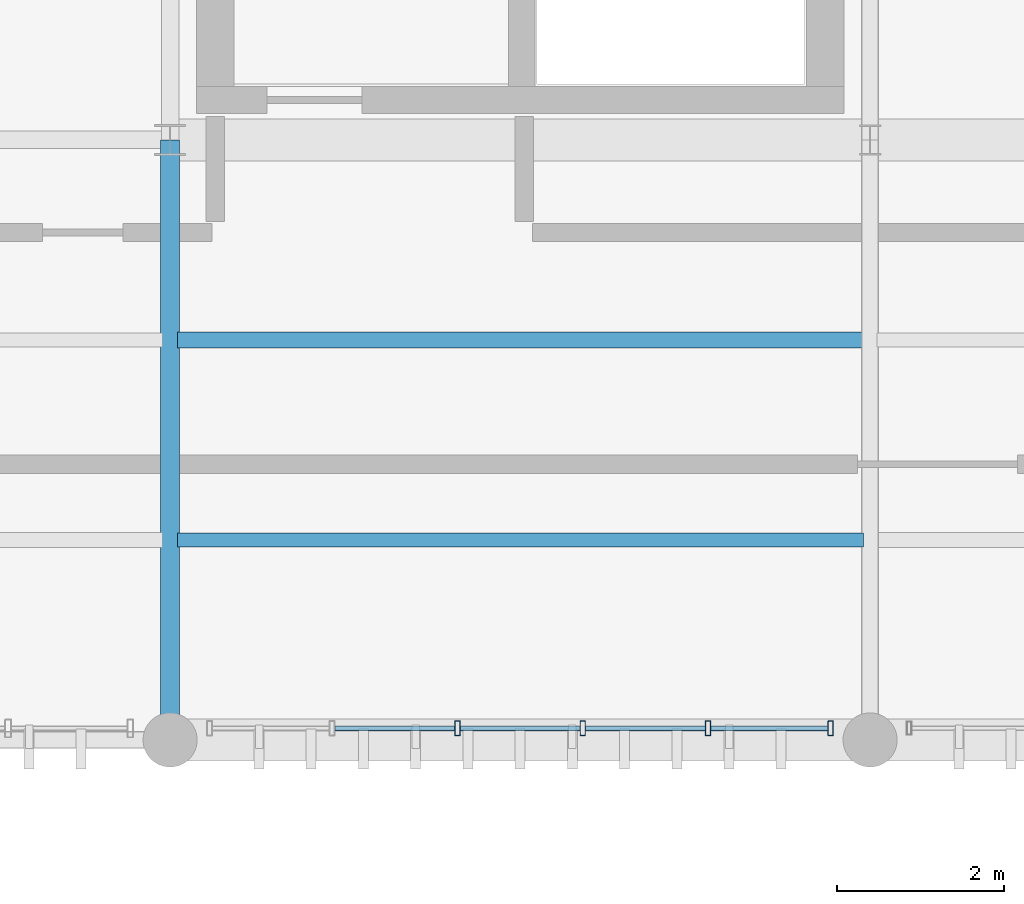
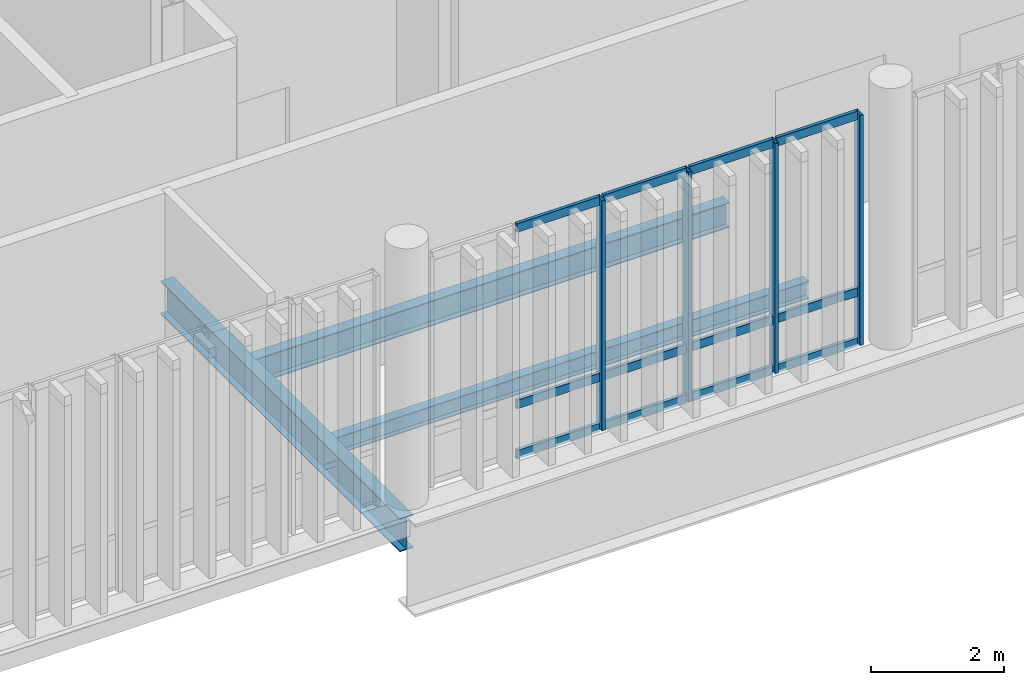
# One storey, part 30 of 86: 16 members, 3 beams, 1 element without a shape of its own.
"""IFC4 building model written with IfcOpenShell, lengths in metres."""

from ifc_helpers import new_model, si_unit, direction, frame, origin_with_axes, origin_2d_with_axis, place, context, subcontext, project, spatial, hollow_rectangle, i_section, extrude, material, material_profile, profile_set, type_object, element, aggregate, save


model = new_model("IFC4")

# Units and contexts
model_context = context("Model", 3, precision=1e-05, world=origin_with_axes(), true_north=direction((0.0, 1.0)))
body_context = subcontext(model_context, "Body", "Model", "MODEL_VIEW")
ifc_project = project(units=[si_unit("LENGTHUNIT", "METRE"), si_unit("AREAUNIT", "SQUARE_METRE"), si_unit("VOLUMEUNIT", "CUBIC_METRE"), si_unit("PLANEANGLEUNIT", "RADIAN"), si_unit("MASSUNIT", "GRAM", prefix="KILO"), si_unit("THERMODYNAMICTEMPERATUREUNIT", "KELVIN")], contexts=[model_context])

# Site, building, storey
site_placement = place(None, origin_with_axes())
site = spatial("IfcSite", under=ifc_project, at=site_placement, CompositionType="ELEMENT")
building_placement = place(site_placement, origin_with_axes())
building = spatial("IfcBuilding", under=site, at=building_placement, Name="Montbau Bow Law Courts", CompositionType="ELEMENT")
storey_placement = place(building_placement, frame((0.0, 0.0, 29.7), z_axis=(0.0, 0.0, 1.0), x_axis=(1.0, 0.0, 0.0)))
storey = spatial("IfcBuildingStorey", under=building, at=storey_placement, Name="L06", CompositionType="ELEMENT", Elevation=29.7)

# Beams
ifc_material_1 = material(Name="Steel CSA G40.21 Grade 350W (350 MPa)", Category="steel")
ifc_material_profile_1 = material_profile(ifc_material_1, i_section(OverallWidth=0.229, OverallDepth=0.612, WebThickness=0.0119, FlangeThickness=0.0196, at=origin_2d_with_axis()), Name="W610X125", Category="Main", Priority=0)
ifc_profile_set_1 = profile_set([ifc_material_profile_1], Name="Steel CSA G40.21 Grade 350W (350 MPa)")
beam_type_1 = type_object("IfcBeamType", Name="B-FLR-05", PredefinedType="BEAM", material=ifc_profile_set_1)
beam_1_placement = place(None, frame((80.4, 39.0, 29.054), z_axis=(0.0, 1.0, 0.0), x_axis=(-1.0, 0.0, 0.0)))
element("IfcBeam", 1, at=beam_1_placement, inside=storey, type_object=beam_type_1, Name="BM-L06-S1010:bm2_1013", PredefinedType="BEAM", context=body_context, shape_type="SweptSolid", body=[
    extrude(i_section(OverallWidth=0.229, OverallDepth=0.612, WebThickness=0.0119, FlangeThickness=0.0196, at=origin_2d_with_axis()), origin_with_axes(), (0.0, 0.0, 1.0), 7.2),
])
ifc_material_profile_2 = material_profile(ifc_material_1, i_section(OverallWidth=0.191, OverallDepth=0.46, WebThickness=0.0099, FlangeThickness=0.016, at=origin_2d_with_axis()), Name="W460X82", Category="Main", Priority=0)
ifc_profile_set_2 = profile_set([ifc_material_profile_2], Name="Steel CSA G40.21 Grade 350W (350 MPa)")
beam_type_2 = type_object("IfcBeamType", Name="B-JST-01", PredefinedType="JOIST", material=ifc_profile_set_2)
beam_2_placement = place(None, frame((80.491, 43.8, 29.13), z_axis=(1.0, 0.0, 0.0), x_axis=(0.0, 1.0, 0.0)))
element("IfcBeam", 2, at=beam_2_placement, inside=storey, type_object=beam_type_2, Name="JST-L06-S0516:jst2_0516", PredefinedType="JOIST", context=body_context, shape_type="SweptSolid", body=[
    extrude(i_section(OverallWidth=0.191, OverallDepth=0.46, WebThickness=0.0099, FlangeThickness=0.016, at=origin_2d_with_axis()), origin_with_axes(), (0.0, 0.0, 1.0), 8.229),
])
ifc_material_profile_3 = material_profile(ifc_material_1, i_section(OverallWidth=0.166, OverallDepth=0.313, WebThickness=0.0066, FlangeThickness=0.0112, at=origin_2d_with_axis()), Name="W310X45", Category="Main", Priority=0)
ifc_profile_set_3 = profile_set([ifc_material_profile_3], Name="Steel CSA G40.21 Grade 350W (350 MPa)")
beam_type_3 = type_object("IfcBeamType", Name="B-JST-04", PredefinedType="JOIST", material=ifc_profile_set_3)
beam_3_placement = place(None, frame((80.491, 41.4, 29.203), z_axis=(1.0, 0.0, 0.0), x_axis=(0.0, 1.0, 0.0)))
element("IfcBeam", 3, at=beam_3_placement, inside=storey, type_object=beam_type_3, Name="JST-L06-S0515:jst2_0515", PredefinedType="JOIST", context=body_context, shape_type="SweptSolid", body=[
    extrude(i_section(OverallWidth=0.166, OverallDepth=0.313, WebThickness=0.0066, FlangeThickness=0.0112, at=origin_2d_with_axis()), origin_with_axes(), (0.0, 0.0, 1.0), 8.229),
])

# Curtain wall, members
ifc_material_2 = material(Name="Thermally Broken Extruded Aluminium AA 6063-T6", Category="aluminium")
curtain_wall_type = type_object("IfcCurtainWallType", Name="CW-CRM-02", PredefinedType="NOTDEFINED", material=ifc_material_2)
curtain_wall_placement = place(None, frame((80.84, 39.14, 29.7), z_axis=(0.0, 0.0, 1.0), x_axis=(1.0, 0.0, 0.0)))
curtain_wall = element("IfcCurtainWall", 4, at=curtain_wall_placement, inside=storey, type_object=curtain_wall_type, Name="CW-L06-226:cw_0226", PredefinedType="NOTDEFINED")
ifc_material_profile_4 = material_profile(ifc_material_2, hollow_rectangle(XDim=0.065, YDim=0.18, WallThickness=0.005, InnerFilletRadius=0.01, OuterFilletRadius=0.005, at=origin_2d_with_axis()), Name="CWM-180X65", Category="Main", Priority=0)
ifc_profile_set_4 = profile_set([ifc_material_profile_4], Name="Thermally Broken Extruded Aluminium AA 6063-T6")
member_type_1 = type_object("IfcMemberType", Name="M-MUL-02", PredefinedType="MULLION", material=ifc_profile_set_4)
member_1_placement = place(None, frame((83.848, 39.14, 29.7), z_axis=(0.0, 0.0, 1.0), x_axis=(1.0, 0.0, 0.0)))
member_1 = element("IfcMember", 5, at=member_1_placement, type_object=member_type_1, Name="CW-L06-226-M03:cw_0226_M03", PredefinedType="MULLION", context=body_context, shape_type="SweptSolid", body=[
    extrude(hollow_rectangle(XDim=0.065, YDim=0.18, WallThickness=0.005, InnerFilletRadius=0.01, OuterFilletRadius=0.005, at=origin_2d_with_axis()), origin_with_axes(), (0.0, 0.0, 1.0), 4.22),
])
member_2_placement = place(None, frame((85.352, 39.14, 29.7), z_axis=(0.0, 0.0, 1.0), x_axis=(1.0, 0.0, 0.0)))
member_2 = element("IfcMember", 6, at=member_2_placement, type_object=member_type_1, Name="CW-L06-226-M04:cw_0226_M04", PredefinedType="MULLION", context=body_context, shape_type="SweptSolid", body=[
    extrude(hollow_rectangle(XDim=0.065, YDim=0.18, WallThickness=0.005, InnerFilletRadius=0.01, OuterFilletRadius=0.005, at=origin_2d_with_axis()), origin_with_axes(), (0.0, 0.0, 1.0), 4.22),
])
member_3_placement = place(None, frame((86.856, 39.14, 29.7), z_axis=(0.0, 0.0, 1.0), x_axis=(1.0, 0.0, 0.0)))
member_3 = element("IfcMember", 7, at=member_3_placement, type_object=member_type_1, Name="CW-L06-226-M05:cw_0226_M05", PredefinedType="MULLION", context=body_context, shape_type="SweptSolid", body=[
    extrude(hollow_rectangle(XDim=0.065, YDim=0.18, WallThickness=0.005, InnerFilletRadius=0.01, OuterFilletRadius=0.005, at=origin_2d_with_axis()), origin_with_axes(), (0.0, 0.0, 1.0), 4.22),
])
member_4_placement = place(None, frame((88.327, 39.14, 29.7), z_axis=(0.0, 0.0, 1.0), x_axis=(1.0, 0.0, 0.0)))
member_4 = element("IfcMember", 8, at=member_4_placement, type_object=member_type_1, Name="CW-L06-226-M06:cw_0226_M06", PredefinedType="MULLION", context=body_context, shape_type="SweptSolid", body=[
    extrude(hollow_rectangle(XDim=0.065, YDim=0.18, WallThickness=0.005, InnerFilletRadius=0.01, OuterFilletRadius=0.005, at=origin_2d_with_axis()), origin_with_axes(), (0.0, 0.0, 1.0), 4.22),
])
ifc_material_profile_5 = material_profile(ifc_material_2, hollow_rectangle(XDim=0.06, YDim=0.16, WallThickness=0.004, InnerFilletRadius=0.008, OuterFilletRadius=0.004, at=origin_2d_with_axis()), Name="CWT-160X60", Category="Main", Priority=0)
ifc_profile_set_5 = profile_set([ifc_material_profile_5], Name="Thermally Broken Extruded Aluminium AA 6063-T6")
member_type_2 = type_object("IfcMemberType", Name="M-TRN-01", PredefinedType="USERDEFINED", material=ifc_profile_set_5)
member_5_placement = place(None, frame((82.378, 39.14, 29.73), z_axis=(1.0, 0.0, 0.0), x_axis=(0.0, 1.0, 0.0)))
member_5 = element("IfcMember", 9, at=member_5_placement, type_object=member_type_2, Name="CW-L06-226-T02-1:cw_0226_T02_1", ObjectType="TRANSOM", PredefinedType="USERDEFINED", context=body_context, shape_type="SweptSolid", body=[
    extrude(hollow_rectangle(XDim=0.06, YDim=0.16, WallThickness=0.004, InnerFilletRadius=0.008, OuterFilletRadius=0.004, at=origin_2d_with_axis()), origin_with_axes(), (0.0, 0.0, 1.0), 1.436),
])
member_6_placement = place(None, frame((82.378, 39.14, 30.65), z_axis=(1.0, 0.0, 0.0), x_axis=(0.0, 1.0, 0.0)))
member_6 = element("IfcMember", 10, at=member_6_placement, type_object=member_type_2, Name="CW-L06-226-T02-2:cw_0226_T02_2", ObjectType="TRANSOM", PredefinedType="USERDEFINED", context=body_context, shape_type="SweptSolid", body=[
    extrude(hollow_rectangle(XDim=0.06, YDim=0.16, WallThickness=0.004, InnerFilletRadius=0.008, OuterFilletRadius=0.004, at=origin_2d_with_axis()), origin_with_axes(), (0.0, 0.0, 1.0), 1.436),
])
member_7_placement = place(None, frame((82.378, 39.14, 33.89), z_axis=(1.0, 0.0, 0.0), x_axis=(0.0, 1.0, 0.0)))
member_7 = element("IfcMember", 11, at=member_7_placement, type_object=member_type_2, Name="CW-L06-226-T02-3:cw_0226_T02_3", ObjectType="TRANSOM", PredefinedType="USERDEFINED", context=body_context, shape_type="SweptSolid", body=[
    extrude(hollow_rectangle(XDim=0.06, YDim=0.16, WallThickness=0.004, InnerFilletRadius=0.008, OuterFilletRadius=0.004, at=origin_2d_with_axis()), origin_with_axes(), (0.0, 0.0, 1.0), 1.436),
])
member_8_placement = place(None, frame((83.882, 39.14, 29.73), z_axis=(1.0, 0.0, 0.0), x_axis=(0.0, 1.0, 0.0)))
member_8 = element("IfcMember", 12, at=member_8_placement, type_object=member_type_2, Name="CW-L06-226-T03-1:cw_0226_T03_1", ObjectType="TRANSOM", PredefinedType="USERDEFINED", context=body_context, shape_type="SweptSolid", body=[
    extrude(hollow_rectangle(XDim=0.06, YDim=0.16, WallThickness=0.004, InnerFilletRadius=0.008, OuterFilletRadius=0.004, at=origin_2d_with_axis()), origin_with_axes(), (0.0, 0.0, 1.0), 1.436),
])
member_9_placement = place(None, frame((83.882, 39.14, 30.65), z_axis=(1.0, 0.0, 0.0), x_axis=(0.0, 1.0, 0.0)))
member_9 = element("IfcMember", 13, at=member_9_placement, type_object=member_type_2, Name="CW-L06-226-T03-2:cw_0226_T03_2", ObjectType="TRANSOM", PredefinedType="USERDEFINED", context=body_context, shape_type="SweptSolid", body=[
    extrude(hollow_rectangle(XDim=0.06, YDim=0.16, WallThickness=0.004, InnerFilletRadius=0.008, OuterFilletRadius=0.004, at=origin_2d_with_axis()), origin_with_axes(), (0.0, 0.0, 1.0), 1.436),
])
member_10_placement = place(None, frame((83.882, 39.14, 33.89), z_axis=(1.0, 0.0, 0.0), x_axis=(0.0, 1.0, 0.0)))
member_10 = element("IfcMember", 14, at=member_10_placement, type_object=member_type_2, Name="CW-L06-226-T03-3:cw_0226_T03_3", ObjectType="TRANSOM", PredefinedType="USERDEFINED", context=body_context, shape_type="SweptSolid", body=[
    extrude(hollow_rectangle(XDim=0.06, YDim=0.16, WallThickness=0.004, InnerFilletRadius=0.008, OuterFilletRadius=0.004, at=origin_2d_with_axis()), origin_with_axes(), (0.0, 0.0, 1.0), 1.436),
])
member_11_placement = place(None, frame((85.386, 39.14, 29.73), z_axis=(1.0, 0.0, 0.0), x_axis=(0.0, 1.0, 0.0)))
member_11 = element("IfcMember", 15, at=member_11_placement, type_object=member_type_2, Name="CW-L06-226-T04-1:cw_0226_T04_1", ObjectType="TRANSOM", PredefinedType="USERDEFINED", context=body_context, shape_type="SweptSolid", body=[
    extrude(hollow_rectangle(XDim=0.06, YDim=0.16, WallThickness=0.004, InnerFilletRadius=0.008, OuterFilletRadius=0.004, at=origin_2d_with_axis()), origin_with_axes(), (0.0, 0.0, 1.0), 1.436),
])
member_12_placement = place(None, frame((85.386, 39.14, 30.65), z_axis=(1.0, 0.0, 0.0), x_axis=(0.0, 1.0, 0.0)))
member_12 = element("IfcMember", 16, at=member_12_placement, type_object=member_type_2, Name="CW-L06-226-T04-2:cw_0226_T04_2", ObjectType="TRANSOM", PredefinedType="USERDEFINED", context=body_context, shape_type="SweptSolid", body=[
    extrude(hollow_rectangle(XDim=0.06, YDim=0.16, WallThickness=0.004, InnerFilletRadius=0.008, OuterFilletRadius=0.004, at=origin_2d_with_axis()), origin_with_axes(), (0.0, 0.0, 1.0), 1.436),
])
member_13_placement = place(None, frame((85.386, 39.14, 33.89), z_axis=(1.0, 0.0, 0.0), x_axis=(0.0, 1.0, 0.0)))
member_13 = element("IfcMember", 17, at=member_13_placement, type_object=member_type_2, Name="CW-L06-226-T04-3:cw_0226_T04_3", ObjectType="TRANSOM", PredefinedType="USERDEFINED", context=body_context, shape_type="SweptSolid", body=[
    extrude(hollow_rectangle(XDim=0.06, YDim=0.16, WallThickness=0.004, InnerFilletRadius=0.008, OuterFilletRadius=0.004, at=origin_2d_with_axis()), origin_with_axes(), (0.0, 0.0, 1.0), 1.436),
])
member_14_placement = place(None, frame((86.89, 39.14, 29.73), z_axis=(1.0, 0.0, 0.0), x_axis=(0.0, 1.0, 0.0)))
member_14 = element("IfcMember", 18, at=member_14_placement, type_object=member_type_2, Name="CW-L06-226-T05-1:cw_0226_T05_1", ObjectType="TRANSOM", PredefinedType="USERDEFINED", context=body_context, shape_type="SweptSolid", body=[
    extrude(hollow_rectangle(XDim=0.06, YDim=0.16, WallThickness=0.004, InnerFilletRadius=0.008, OuterFilletRadius=0.004, at=origin_2d_with_axis()), origin_with_axes(), (0.0, 0.0, 1.0), 1.403),
])
member_15_placement = place(None, frame((86.89, 39.14, 30.65), z_axis=(1.0, 0.0, 0.0), x_axis=(0.0, 1.0, 0.0)))
member_15 = element("IfcMember", 19, at=member_15_placement, type_object=member_type_2, Name="CW-L06-226-T05-2:cw_0226_T05_2", ObjectType="TRANSOM", PredefinedType="USERDEFINED", context=body_context, shape_type="SweptSolid", body=[
    extrude(hollow_rectangle(XDim=0.06, YDim=0.16, WallThickness=0.004, InnerFilletRadius=0.008, OuterFilletRadius=0.004, at=origin_2d_with_axis()), origin_with_axes(), (0.0, 0.0, 1.0), 1.403),
])
member_16_placement = place(None, frame((86.89, 39.14, 33.89), z_axis=(1.0, 0.0, 0.0), x_axis=(0.0, 1.0, 0.0)))
member_16 = element("IfcMember", 20, at=member_16_placement, type_object=member_type_2, Name="CW-L06-226-T05-3:cw_0226_T05_3", ObjectType="TRANSOM", PredefinedType="USERDEFINED", context=body_context, shape_type="SweptSolid", body=[
    extrude(hollow_rectangle(XDim=0.06, YDim=0.16, WallThickness=0.004, InnerFilletRadius=0.008, OuterFilletRadius=0.004, at=origin_2d_with_axis()), origin_with_axes(), (0.0, 0.0, 1.0), 1.403),
])
aggregate(curtain_wall, [member_1, member_2, member_3, member_4, member_5, member_6, member_7, member_8, member_9, member_10, member_11, member_12, member_13, member_14, member_15, member_16])

save(model, "model.ifc")
